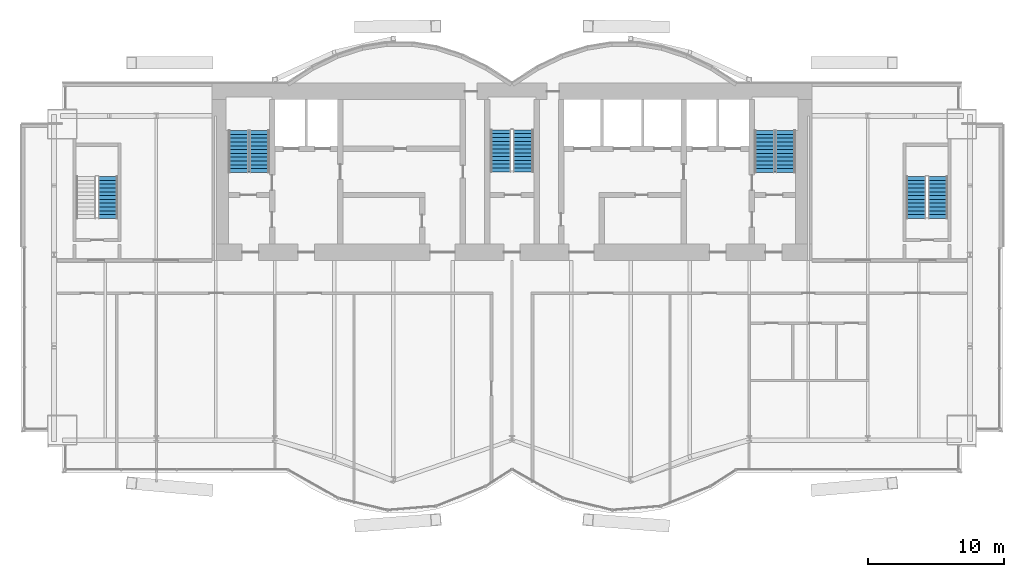
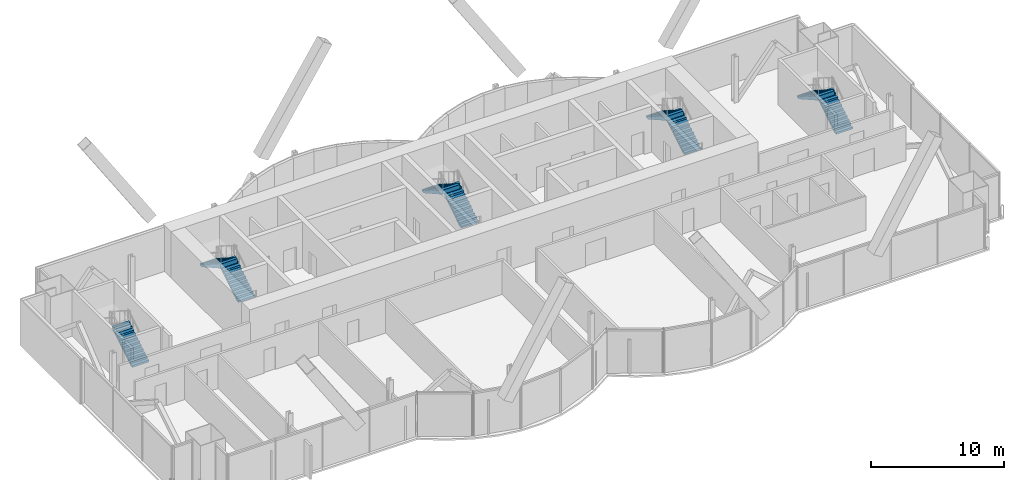
# One storey, part 16 of 19: 9 stair flights, 5 elements without a shape of their own.
"""IFC4 building model written with IfcOpenShell, lengths in metres."""

from ifc_helpers import new_model, si_unit, direction, frame, origin, place, context, subcontext, project, spatial, polyline, outline, extrude, material, type_object, element, aggregate, save


model = new_model("IFC4")

# Units and contexts
model_context = context("Model", 3, precision=1e-05, world=origin(), true_north=direction((0.0, 1.0)))
body_context = subcontext(model_context, "Body", "Model", "MODEL_VIEW")
ifc_project = project(units=[si_unit("LENGTHUNIT", "METRE"), si_unit("AREAUNIT", "SQUARE_METRE"), si_unit("VOLUMEUNIT", "CUBIC_METRE"), si_unit("PLANEANGLEUNIT", "RADIAN"), si_unit("MASSUNIT", "GRAM", prefix="KILO")], contexts=[model_context])

# Site, building, storey
site_placement = place(None, origin())
site = spatial("IfcSite", under=ifc_project, at=site_placement, CompositionType="ELEMENT")
building_placement = place(site_placement, origin())
building = spatial("IfcBuilding", under=site, at=building_placement, Name="Bicima Exchange Tower", CompositionType="ELEMENT")
storey_placement = place(building_placement, frame((0.0, 0.0, 270.800048828125)))
storey = spatial("IfcBuildingStorey", under=building, at=storey_placement, Name="L61", CompositionType="ELEMENT", Elevation=270.800048828125)

# Stair, stair flights
ifc_material = material(Name="Concrete C50/60", Category="concrete")
stair_type_1 = type_object("IfcStairType", Name="Exit stair", PredefinedType="HALF_TURN_STAIR", material=ifc_material)
stair_1_placement = place(storey_placement, origin())
stair_1 = element("IfcStair", 1, at=stair_1_placement, inside=storey, type_object=stair_type_1, Name="L61 West exit stair", PredefinedType="HALF_TURN_STAIR")
stair_flight_type_1 = type_object("IfcStairFlightType", Name="Stair flight RC", PredefinedType="STRAIGHT", material=ifc_material)
stair_flight_1_placement = place(storey_placement, frame((-18.52490234375, -6.550048828125, 0.0), z_axis=(0.0, 0.0, 1.0), x_axis=(0.0, 1.0, 0.0)))
stair_flight_1 = element("IfcStairFlight", 2, at=stair_flight_1_placement, type_object=stair_flight_type_1, Name="ST-W flight 1", NumberOfRisers=12, NumberOfTreads=11, PredefinedType="STRAIGHT", RiserHeight=0.175, TreadLength=0.28, context=body_context, shape_type="SweptSolid", body=[
    extrude(outline(polyline([(0.0, 0.0), (0.0, 0.175048828125), (0.280029296875, 0.175048828125), (0.280029296875, 0.35009765625), (0.56005859375, 0.35009765625), (0.56005859375, 0.52490234375), (0.840087890625, 0.52490234375), (0.840087890625, 0.699951171875), (1.1201171875, 0.699951171875), (1.1201171875, 0.875), (1.39990234375, 0.875), (1.39990234375, 1.050048828125), (1.679931640625, 1.050048828125), (1.679931640625, 1.22509765625), (1.9599609375, 1.22509765625), (1.9599609375, 1.39990234375), (2.239990234375, 1.39990234375), (2.239990234375, 1.574951171875), (2.52001953125, 1.574951171875), (2.52001953125, 1.75), (2.800048828125, 1.75), (2.800048828125, 1.925048828125), (3.080078125, 1.925048828125), (3.080078125, 2.10009765625), (3.080078125, 1.748291015625), (0.28271484375, 0.0), (0.0, 0.0)])), frame((0.0, 0.72509765625, 0.0), z_axis=(0.0, -1.0, 0.0), x_axis=(1.0, 0.0, 0.0)), (0.0, 0.0, 1.0), 1.449951171875),
])
stair_flight_2_placement = place(storey_placement, frame((-20.074951171875, -3.469970703125, 2.099853515625), z_axis=(0.0, 0.0, 1.0), x_axis=(0.0, -1.0, 0.0)))
stair_flight_2 = element("IfcStairFlight", 3, at=stair_flight_2_placement, type_object=stair_flight_type_1, Name="ST-W flight 2", NumberOfRisers=12, NumberOfTreads=11, PredefinedType="STRAIGHT", RiserHeight=0.175, TreadLength=0.28, context=body_context, shape_type="SweptSolid", body=[
    extrude(outline(polyline([(0.0, 0.0), (0.0, 0.175048828125), (0.280029296875, 0.175048828125), (0.280029296875, 0.35009765625), (0.56005859375, 0.35009765625), (0.56005859375, 0.52490234375), (0.840087890625, 0.52490234375), (0.840087890625, 0.699951171875), (1.1201171875, 0.699951171875), (1.1201171875, 0.875), (1.39990234375, 0.875), (1.39990234375, 1.050048828125), (1.679931640625, 1.050048828125), (1.679931640625, 1.22509765625), (1.9599609375, 1.22509765625), (1.9599609375, 1.39990234375), (2.239990234375, 1.39990234375), (2.239990234375, 1.574951171875), (2.52001953125, 1.574951171875), (2.52001953125, 1.75), (2.800048828125, 1.75), (2.800048828125, 1.925048828125), (3.080078125, 1.925048828125), (3.080078125, 1.9541015625), (3.094970703125, 1.9541015625), (3.094970703125, 1.58251953125), (0.28271484375, 0.0), (0.0, 0.0)])), frame((0.0, 0.72509765625, 0.0), z_axis=(0.0, -1.0, 0.0), x_axis=(1.0, 0.0, 0.0)), (0.0, 0.0, 1.0), 1.449951171875),
])
aggregate(stair_1, [stair_flight_1, stair_flight_2])

stair_2_placement = place(storey_placement, origin())
stair_2 = element("IfcStair", 4, at=stair_2_placement, inside=storey, type_object=stair_type_1, Name="L61 East exit stair", PredefinedType="HALF_TURN_STAIR")
stair_flight_3_placement = place(storey_placement, frame((20.074951171875, -6.550048828125, 0.0), z_axis=(0.0, 0.0, 1.0), x_axis=(0.0, 1.0, 0.0)))
stair_flight_3 = element("IfcStairFlight", 5, at=stair_flight_3_placement, type_object=stair_flight_type_1, Name="ST-E flight 1", NumberOfRisers=12, NumberOfTreads=11, PredefinedType="STRAIGHT", RiserHeight=0.175, TreadLength=0.28, context=body_context, shape_type="SweptSolid", body=[
    extrude(outline(polyline([(0.0, 0.0), (0.0, 0.175048828125), (0.280029296875, 0.175048828125), (0.280029296875, 0.35009765625), (0.56005859375, 0.35009765625), (0.56005859375, 0.52490234375), (0.840087890625, 0.52490234375), (0.840087890625, 0.699951171875), (1.1201171875, 0.699951171875), (1.1201171875, 0.875), (1.39990234375, 0.875), (1.39990234375, 1.050048828125), (1.679931640625, 1.050048828125), (1.679931640625, 1.22509765625), (1.9599609375, 1.22509765625), (1.9599609375, 1.39990234375), (2.239990234375, 1.39990234375), (2.239990234375, 1.574951171875), (2.52001953125, 1.574951171875), (2.52001953125, 1.75), (2.800048828125, 1.75), (2.800048828125, 1.925048828125), (3.080078125, 1.925048828125), (3.080078125, 2.10009765625), (3.080078125, 1.748291015625), (0.28271484375, 0.0), (0.0, 0.0)])), frame((0.0, 0.72509765625, 0.0), z_axis=(0.0, -1.0, 0.0), x_axis=(1.0, 0.0, 0.0)), (0.0, 0.0, 1.0), 1.449951171875),
])
stair_flight_4_placement = place(storey_placement, frame((18.52490234375, -3.469970703125, 2.099853515625), z_axis=(0.0, 0.0, 1.0), x_axis=(0.0, -1.0, 0.0)))
stair_flight_4 = element("IfcStairFlight", 6, at=stair_flight_4_placement, type_object=stair_flight_type_1, Name="ST-E flight 2", NumberOfRisers=12, NumberOfTreads=11, PredefinedType="STRAIGHT", RiserHeight=0.175, TreadLength=0.28, context=body_context, shape_type="SweptSolid", body=[
    extrude(outline(polyline([(0.0, 0.0), (0.0, 0.175048828125), (0.280029296875, 0.175048828125), (0.280029296875, 0.35009765625), (0.56005859375, 0.35009765625), (0.56005859375, 0.52490234375), (0.840087890625, 0.52490234375), (0.840087890625, 0.699951171875), (1.1201171875, 0.699951171875), (1.1201171875, 0.875), (1.39990234375, 0.875), (1.39990234375, 1.050048828125), (1.679931640625, 1.050048828125), (1.679931640625, 1.22509765625), (1.9599609375, 1.22509765625), (1.9599609375, 1.39990234375), (2.239990234375, 1.39990234375), (2.239990234375, 1.574951171875), (2.52001953125, 1.574951171875), (2.52001953125, 1.75), (2.800048828125, 1.75), (2.800048828125, 1.925048828125), (3.080078125, 1.925048828125), (3.080078125, 1.9541015625), (3.094970703125, 1.9541015625), (3.094970703125, 1.58251953125), (0.28271484375, 0.0), (0.0, 0.0)])), frame((0.0, 0.72509765625, 0.0), z_axis=(0.0, -1.0, 0.0), x_axis=(1.0, 0.0, 0.0)), (0.0, 0.0, 1.0), 1.449951171875),
])
aggregate(stair_2, [stair_flight_3, stair_flight_4])

# Stair, stair flight
stair_3_placement = place(storey_placement, origin())
stair_3 = element("IfcStair", 7, at=stair_3_placement, inside=storey, type_object=stair_type_1, Name="L61 West end exit stair", PredefinedType="HALF_TURN_STAIR")
stair_flight_5_placement = place(storey_placement, frame((-29.64990234375, -9.925048828125, 0.0), z_axis=(0.0, 0.0, 1.0), x_axis=(0.0, 1.0, 0.0)))
stair_flight_5 = element("IfcStairFlight", 8, at=stair_flight_5_placement, type_object=stair_flight_type_1, Name="ST-WW flight 1", NumberOfRisers=12, NumberOfTreads=11, PredefinedType="STRAIGHT", RiserHeight=0.175, TreadLength=0.28, context=body_context, shape_type="SweptSolid", body=[
    extrude(outline(polyline([(0.0, 0.0), (0.0, 0.175048828125), (0.280029296875, 0.175048828125), (0.280029296875, 0.35009765625), (0.56005859375, 0.35009765625), (0.56005859375, 0.52490234375), (0.840087890625, 0.52490234375), (0.840087890625, 0.699951171875), (1.1201171875, 0.699951171875), (1.1201171875, 0.875), (1.39990234375, 0.875), (1.39990234375, 1.050048828125), (1.679931640625, 1.050048828125), (1.679931640625, 1.22509765625), (1.9599609375, 1.22509765625), (1.9599609375, 1.39990234375), (2.239990234375, 1.39990234375), (2.239990234375, 1.574951171875), (2.52001953125, 1.574951171875), (2.52001953125, 1.75), (2.800048828125, 1.75), (2.800048828125, 1.925048828125), (3.080078125, 1.925048828125), (3.080078125, 2.10009765625), (3.080078125, 1.748291015625), (0.28271484375, 0.0), (0.0, 0.0)])), frame((0.0, 0.72509765625, 0.0), z_axis=(0.0, -1.0, 0.0), x_axis=(1.0, 0.0, 0.0)), (0.0, 0.0, 1.0), 1.449951171875),
])
aggregate(stair_3, [stair_flight_5])

# Stair, stair flights
stair_4_placement = place(storey_placement, origin())
stair_4 = element("IfcStair", 9, at=stair_4_placement, inside=storey, type_object=stair_type_1, Name="L61 East end exit stair", PredefinedType="HALF_TURN_STAIR")
stair_flight_6_placement = place(storey_placement, frame((31.25, -9.925048828125, 0.0), z_axis=(0.0, 0.0, 1.0), x_axis=(0.0, 1.0, 0.0)))
stair_flight_6 = element("IfcStairFlight", 10, at=stair_flight_6_placement, type_object=stair_flight_type_1, Name="ST-EE flight 1", NumberOfRisers=12, NumberOfTreads=11, PredefinedType="STRAIGHT", RiserHeight=0.175, TreadLength=0.28, context=body_context, shape_type="SweptSolid", body=[
    extrude(outline(polyline([(0.0, 0.0), (0.0, 0.175048828125), (0.280029296875, 0.175048828125), (0.280029296875, 0.35009765625), (0.56005859375, 0.35009765625), (0.56005859375, 0.52490234375), (0.840087890625, 0.52490234375), (0.840087890625, 0.699951171875), (1.1201171875, 0.699951171875), (1.1201171875, 0.875), (1.39990234375, 0.875), (1.39990234375, 1.050048828125), (1.679931640625, 1.050048828125), (1.679931640625, 1.22509765625), (1.9599609375, 1.22509765625), (1.9599609375, 1.39990234375), (2.239990234375, 1.39990234375), (2.239990234375, 1.574951171875), (2.52001953125, 1.574951171875), (2.52001953125, 1.75), (2.800048828125, 1.75), (2.800048828125, 1.925048828125), (3.080078125, 1.925048828125), (3.080078125, 2.10009765625), (3.080078125, 1.748291015625), (0.28271484375, 0.0), (0.0, 0.0)])), frame((0.0, 0.72509765625, 0.0), z_axis=(0.0, -1.0, 0.0), x_axis=(1.0, 0.0, 0.0)), (0.0, 0.0, 1.0), 1.449951171875),
])
stair_flight_7_placement = place(storey_placement, frame((29.64990234375, -6.844970703125, 2.099853515625), z_axis=(0.0, 0.0, 1.0), x_axis=(0.0, -1.0, 0.0)))
stair_flight_7 = element("IfcStairFlight", 11, at=stair_flight_7_placement, type_object=stair_flight_type_1, Name="ST-EE flight 2", NumberOfRisers=12, NumberOfTreads=11, PredefinedType="STRAIGHT", RiserHeight=0.175, TreadLength=0.28, context=body_context, shape_type="SweptSolid", body=[
    extrude(outline(polyline([(0.0, 0.0), (0.0, 0.175048828125), (0.280029296875, 0.175048828125), (0.280029296875, 0.35009765625), (0.56005859375, 0.35009765625), (0.56005859375, 0.52490234375), (0.840087890625, 0.52490234375), (0.840087890625, 0.699951171875), (1.1201171875, 0.699951171875), (1.1201171875, 0.875), (1.39990234375, 0.875), (1.39990234375, 1.050048828125), (1.679931640625, 1.050048828125), (1.679931640625, 1.22509765625), (1.9599609375, 1.22509765625), (1.9599609375, 1.39990234375), (2.239990234375, 1.39990234375), (2.239990234375, 1.574951171875), (2.52001953125, 1.574951171875), (2.52001953125, 1.75), (2.800048828125, 1.75), (2.800048828125, 1.925048828125), (3.080078125, 1.925048828125), (3.080078125, 1.9541015625), (3.094970703125, 1.9541015625), (3.094970703125, 1.58251953125), (0.28271484375, 0.0), (0.0, 0.0)])), frame((0.0, 0.72509765625, 0.0), z_axis=(0.0, -1.0, 0.0), x_axis=(1.0, 0.0, 0.0)), (0.0, 0.0, 1.0), 1.449951171875),
])
aggregate(stair_4, [stair_flight_6, stair_flight_7])

stair_type_2 = type_object("IfcStairType", Name="Exit stair 1500", PredefinedType="HALF_TURN_STAIR", material=ifc_material)
stair_5_placement = place(storey_placement, origin())
stair_5 = element("IfcStair", 12, at=stair_5_placement, inside=storey, type_object=stair_type_2, Name="L61 Central exit stair", PredefinedType="HALF_TURN_STAIR")
stair_flight_type_2 = type_object("IfcStairFlightType", Name="Stair flight RC 1500", PredefinedType="STRAIGHT", material=ifc_material)
stair_flight_8_placement = place(storey_placement, frame((0.824951171875, -6.5, 0.0), z_axis=(0.0, 0.0, 1.0), x_axis=(0.0, 1.0, 0.0)))
stair_flight_8 = element("IfcStairFlight", 13, at=stair_flight_8_placement, type_object=stair_flight_type_2, Name="ST-C flight 1", NumberOfRisers=12, NumberOfTreads=11, PredefinedType="STRAIGHT", RiserHeight=0.175, TreadLength=0.28, context=body_context, shape_type="SweptSolid", body=[
    extrude(outline(polyline([(0.0, 0.0), (0.0, 0.175048828125), (0.280029296875, 0.175048828125), (0.280029296875, 0.35009765625), (0.56005859375, 0.35009765625), (0.56005859375, 0.52490234375), (0.840087890625, 0.52490234375), (0.840087890625, 0.699951171875), (1.1201171875, 0.699951171875), (1.1201171875, 0.875), (1.39990234375, 0.875), (1.39990234375, 1.050048828125), (1.679931640625, 1.050048828125), (1.679931640625, 1.22509765625), (1.9599609375, 1.22509765625), (1.9599609375, 1.39990234375), (2.239990234375, 1.39990234375), (2.239990234375, 1.574951171875), (2.52001953125, 1.574951171875), (2.52001953125, 1.75), (2.800048828125, 1.75), (2.800048828125, 1.925048828125), (3.080078125, 1.925048828125), (3.080078125, 2.10009765625), (3.080078125, 1.748291015625), (0.28271484375, 0.0), (0.0, 0.0)])), frame((0.0, 0.75, 0.0), z_axis=(0.0, -1.0, 0.0), x_axis=(1.0, 0.0, 0.0)), (0.0, 0.0, 1.0), 1.5),
])
stair_flight_9_placement = place(storey_placement, frame((-0.824951171875, -3.419921875, 2.099853515625), z_axis=(0.0, 0.0, 1.0), x_axis=(0.0, -1.0, 0.0)))
stair_flight_9 = element("IfcStairFlight", 14, at=stair_flight_9_placement, type_object=stair_flight_type_2, Name="ST-C flight 2", NumberOfRisers=12, NumberOfTreads=11, PredefinedType="STRAIGHT", RiserHeight=0.175, TreadLength=0.28, context=body_context, shape_type="SweptSolid", body=[
    extrude(outline(polyline([(0.0, 0.0), (0.0, 0.175048828125), (0.280029296875, 0.175048828125), (0.280029296875, 0.35009765625), (0.56005859375, 0.35009765625), (0.56005859375, 0.52490234375), (0.840087890625, 0.52490234375), (0.840087890625, 0.699951171875), (1.1201171875, 0.699951171875), (1.1201171875, 0.875), (1.39990234375, 0.875), (1.39990234375, 1.050048828125), (1.679931640625, 1.050048828125), (1.679931640625, 1.22509765625), (1.9599609375, 1.22509765625), (1.9599609375, 1.39990234375), (2.239990234375, 1.39990234375), (2.239990234375, 1.574951171875), (2.52001953125, 1.574951171875), (2.52001953125, 1.75), (2.800048828125, 1.75), (2.800048828125, 1.925048828125), (3.080078125, 1.925048828125), (3.080078125, 1.9541015625), (3.094970703125, 1.9541015625), (3.094970703125, 1.58251953125), (0.28271484375, 0.0), (0.0, 0.0)])), frame((0.0, 0.75, 0.0), z_axis=(0.0, -1.0, 0.0), x_axis=(1.0, 0.0, 0.0)), (0.0, 0.0, 1.0), 1.5),
])
aggregate(stair_5, [stair_flight_8, stair_flight_9])

save(model, "model.ifc")
